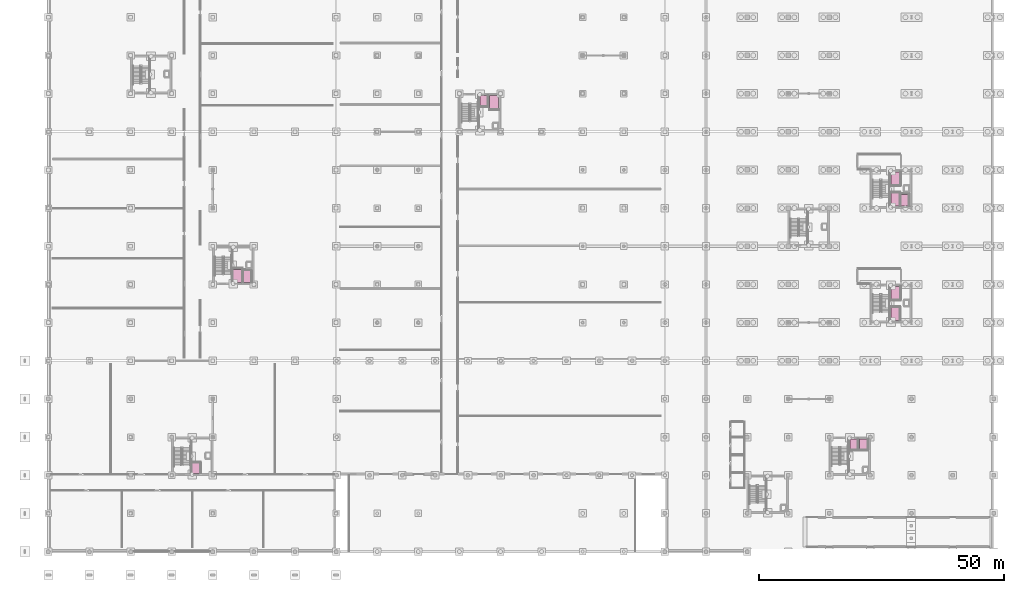
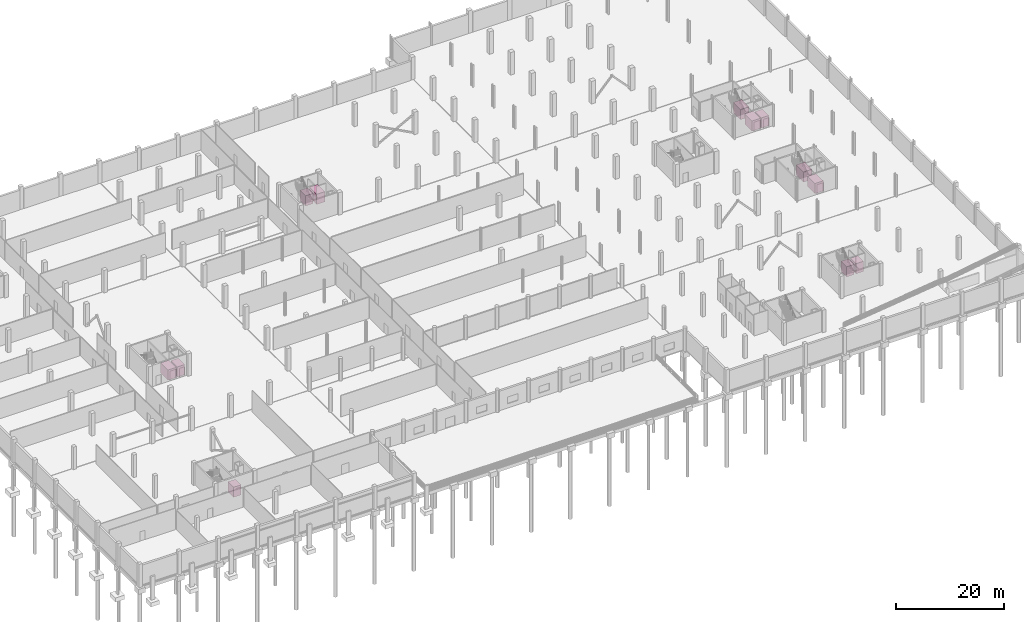
# One storey, part 48 of 48: 12 transport elements.
"""IFC4 building model written with IfcOpenShell, lengths in metres."""

from ifc_helpers import new_model, si_unit, direction, frame, origin, origin_2d, place, context, subcontext, project, spatial, rectangle, extrude, material, type_object, element, save


model = new_model("IFC4")

# Units and contexts
model_context = context("Model", 3, precision=1e-05, world=origin(), true_north=direction((0.0, 1.0)))
body_context = subcontext(model_context, "Body", "Model", "MODEL_VIEW")
ifc_project = project(units=[si_unit("LENGTHUNIT", "METRE"), si_unit("AREAUNIT", "SQUARE_METRE"), si_unit("VOLUMEUNIT", "CUBIC_METRE"), si_unit("PLANEANGLEUNIT", "RADIAN"), si_unit("MASSUNIT", "GRAM", prefix="KILO")], contexts=[model_context])

# Site, building, storey
site_placement = place(None, origin())
site = spatial("IfcSite", under=ifc_project, at=site_placement, CompositionType="ELEMENT")
building_placement = place(site_placement, origin())
building = spatial("IfcBuilding", under=site, at=building_placement, Name="Nabrawat Pavilion Hospital", CompositionType="ELEMENT")
storey_placement = place(building_placement, frame((0.0, 0.0, -5.10009765625)))
storey = spatial("IfcBuildingStorey", under=building, at=storey_placement, Name="B1", CompositionType="ELEMENT", Elevation=-5.10009765625)

# Transport elements
ifc_material = material(Name="Brushed Stainless Steel 316", Category="steel")
transport_element_type_1 = type_object("IfcTransportElementType", Name="Clean-Dirty Goods Service Lift 2000kg", PredefinedType="ELEVATOR", material=ifc_material)
for number, where, z_axis, x_axis, name in (
    (1, (40.60009765625, 56.199951171875, 0.0), (0.0, 0.0, 1.0), (1.0, 0.0, 0.0), "Hospital Elevator LS-01 (B1 to L03)"),
    (2, (175.0, 71.800048828125, 0.0), (0.0, 0.0, 1.0), (1.0, 0.0, 0.0), "Hospital Elevator LS-02 (B1 to L07)"),
):
    element("IfcTransportElement", number, at=place(storey_placement, frame(where, z_axis=z_axis, x_axis=x_axis)), inside=storey, type_object=transport_element_type_1, Name=name, PredefinedType="ELEVATOR", context=body_context, shape_type="SweptSolid", body=[
        extrude(rectangle(XDim=1.60009765625, YDim=2.39990234375, at=origin_2d()), origin(), (0.0, 0.0, 1.0), 2.300048828125),
    ])
transport_element_type_2 = type_object("IfcTransportElementType", Name="Clinical Inpatient Bed Lift 2500kg", PredefinedType="ELEVATOR", material=ifc_material)
for number, where, z_axis, x_axis, name in (
    (3, (38.679931640625, 56.35009765625, 0.0), (0.0, 0.0, 1.0), (1.0, 0.0, 0.0), "Hospital Elevator LB-01 (B1 to L03)"),
    (4, (91.10009765625, 91.85009765625, 0.0), (0.0, 0.0, 1.0), (1.0, 0.0, 0.0), "Hospital Elevator LB-02 (B1 to L02)"),
    (5, (173.080078125, 48.550048828125, 0.0), (0.0, 0.0, 1.0), (1.0, 0.0, 0.0), "Hospital Elevator LB-03 (B1 to L07)"),
    (6, (173.080078125, 71.949951171875, 0.0), (0.0, 0.0, 1.0), (1.0, 0.0, 0.0), "Hospital Elevator LB-04 (B1 to L07)"),
):
    element("IfcTransportElement", number, at=place(storey_placement, frame(where, z_axis=z_axis, x_axis=x_axis)), inside=storey, type_object=transport_element_type_2, Name=name, PredefinedType="ELEVATOR", context=body_context, shape_type="SweptSolid", body=[
        extrude(rectangle(XDim=1.800048828125, YDim=2.699951171875, at=origin_2d()), origin(), (0.0, 0.0, 1.0), 2.300048828125),
    ])
transport_element_type_3 = type_object("IfcTransportElementType", Name="Firefighting Stretcher Hospital Lift 2500kg", PredefinedType="ELEVATOR", material=ifc_material)
for number, where, z_axis, x_axis, name in (
    (7, (173.10009765625, 52.85009765625, 0.0), (0.0, 0.0, 1.0), (1.0, 0.0, 0.0), "Hospital Elevator LF-01 (B1 to Roof)"),
    (8, (173.10009765625, 76.25, 0.0), (0.0, 0.0, 1.0), (1.0, 0.0, 0.0), "Hospital Elevator LF-02 (B1 to Roof)"),
):
    element("IfcTransportElement", number, at=place(storey_placement, frame(where, z_axis=z_axis, x_axis=x_axis)), inside=storey, type_object=transport_element_type_3, Name=name, PredefinedType="ELEVATOR", context=body_context, shape_type="SweptSolid", body=[
        extrude(rectangle(XDim=1.800048828125, YDim=2.699951171875, at=origin_2d()), origin(), (0.0, 0.0, 1.0), 2.300048828125),
    ])
transport_element_type_4 = type_object("IfcTransportElementType", Name="Outpatient Visitor Passenger Lift 1600kg", PredefinedType="ELEVATOR", material=ifc_material)
for number, where, z_axis, x_axis, name in (
    (9, (30.179931640625, 17.050048828125, 0.0), (0.0, 0.0, 1.0), (1.0, 0.0, 0.0), "Hospital Elevator LP-01 (B1 to L02)"),
    (10, (88.97998046875, 92.14990234375, 0.0), (0.0, 0.0, 1.0), (1.0, 0.0, 0.0), "Hospital Elevator LP-02 (B1 to L02)"),
    (11, (164.580078125, 21.949951171875, 0.0), (0.0, 0.0, 1.0), (1.0, 0.0, 0.0), "Hospital Elevator LP-03 (B1 to L04)"),
    (12, (166.60009765625, 21.949951171875, 0.0), (0.0, 0.0, 1.0), (1.0, 0.0, 0.0), "Hospital Elevator LP-04 (B1 to L04)"),
):
    element("IfcTransportElement", number, at=place(storey_placement, frame(where, z_axis=z_axis, x_axis=x_axis)), inside=storey, type_object=transport_element_type_4, Name=name, PredefinedType="ELEVATOR", context=body_context, shape_type="SweptSolid", body=[
        extrude(rectangle(XDim=1.60009765625, YDim=2.10009765625, at=origin_2d()), origin(), (0.0, 0.0, 1.0), 2.300048828125),
    ])

save(model, "model.ifc")
